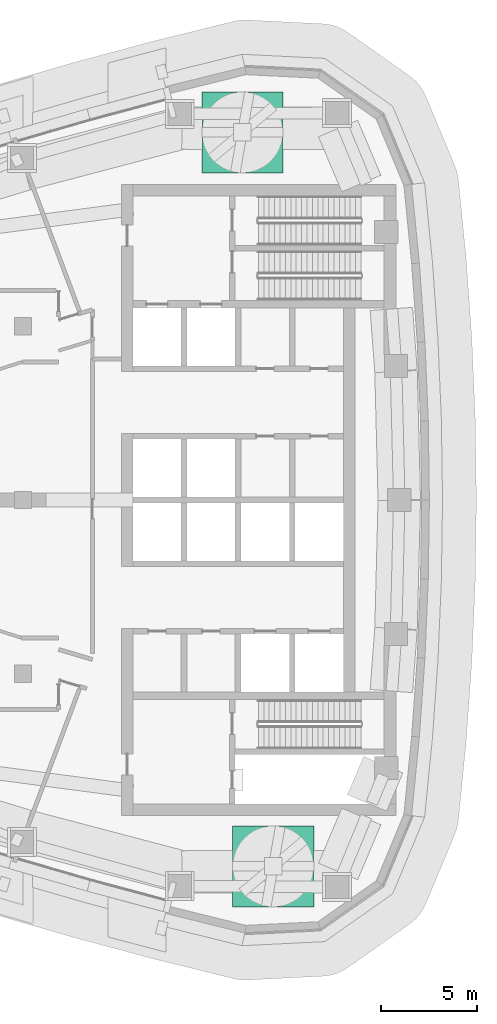
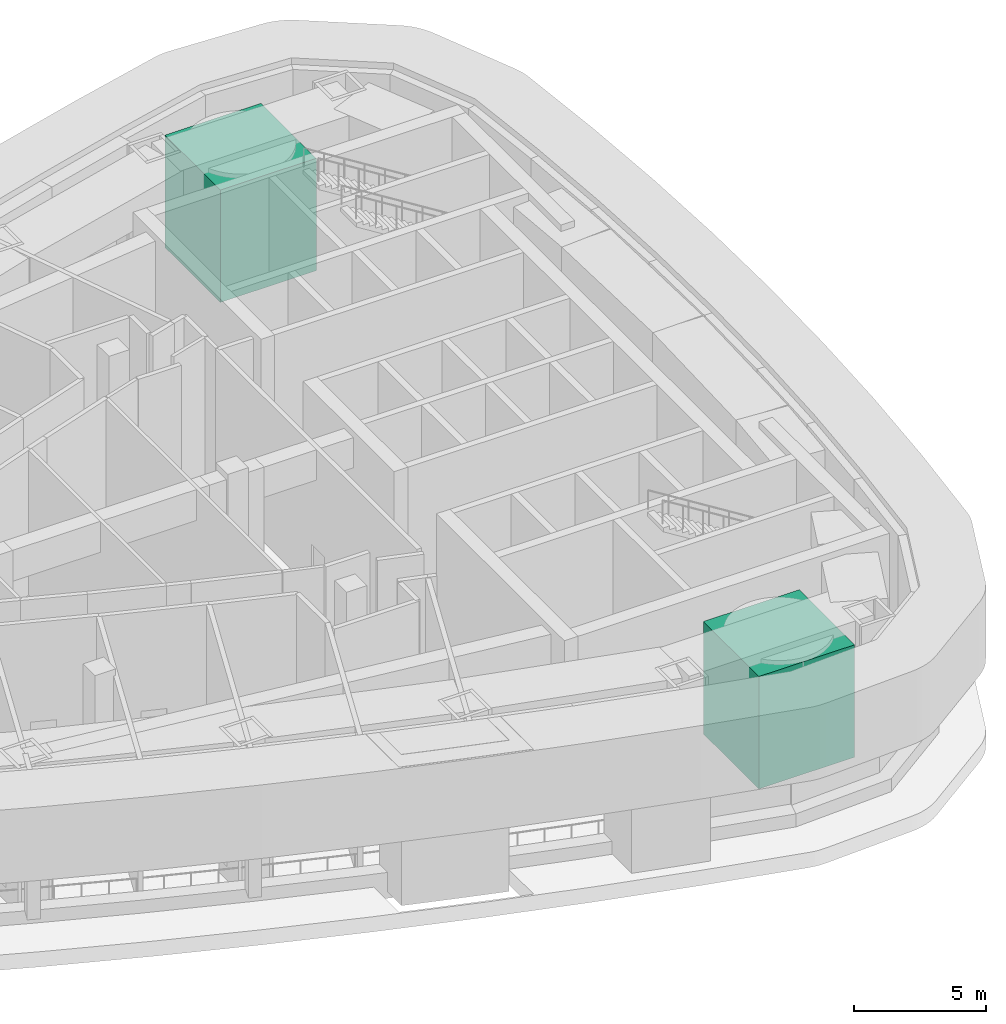
# One storey, part 12 of 12: 2 electric generators.
"""IFC4 building model written with IfcOpenShell, lengths in metres."""

from ifc_helpers import new_model, si_unit, direction, frame, origin, origin_2d, place, context, subcontext, project, spatial, rectangle, extrude, material, type_object, element, save


model = new_model("IFC4")

# Units and contexts
model_context = context("Model", 3, precision=1e-05, world=origin(), true_north=direction((0.0, 1.0)))
body_context = subcontext(model_context, "Body", "Model", "MODEL_VIEW")
ifc_project = project(units=[si_unit("LENGTHUNIT", "METRE"), si_unit("AREAUNIT", "SQUARE_METRE"), si_unit("VOLUMEUNIT", "CUBIC_METRE"), si_unit("PLANEANGLEUNIT", "RADIAN"), si_unit("MASSUNIT", "GRAM", prefix="KILO")], contexts=[model_context])

# Site, building, storey
site_placement = place(None, origin())
site = spatial("IfcSite", under=ifc_project, at=site_placement, CompositionType="ELEMENT")
building_placement = place(site_placement, origin())
building = spatial("IfcBuilding", under=site, at=building_placement, Name="Ostrand Prow Hotel Tower", CompositionType="ELEMENT")
storey_placement = place(building_placement, frame((0.0, 0.0, 256.300048828125)))
storey = spatial("IfcBuildingStorey", under=building, at=storey_placement, Name="L65", CompositionType="ELEMENT", Elevation=256.300048828125)

# Electric generators
ifc_material = material(Name="Stainless steel", Category="steel")
electric_generator_type = type_object("IfcElectricGeneratorType", Name="Vertical-axis wind turbine 6000x6000", PredefinedType="STANDALONE", material=ifc_material)
for number, where, z_axis, x_axis, name in (
    (1, (56.37060546875, 19.050048828125, 1.0), (0.0, 0.0, 1.0), (1.0, 0.0, 0.0), "Wind turbine WT1"),
    (2, (57.970703125, -18.987548828125, 1.0), (0.0, 0.0, 1.0), (1.0, 0.0, 0.0), "Wind turbine WT2"),
):
    element("IfcElectricGenerator", number, at=place(storey_placement, frame(where, z_axis=z_axis, x_axis=x_axis)), inside=storey, type_object=electric_generator_type, Name=name, PredefinedType="STANDALONE", context=body_context, shape_type="SweptSolid", body=[
        extrude(rectangle(XDim=4.199951171875, YDim=4.199951171875, at=origin_2d()), origin(), (0.0, 0.0, 1.0), 5.199951171875),
    ])

save(model, "model.ifc")
